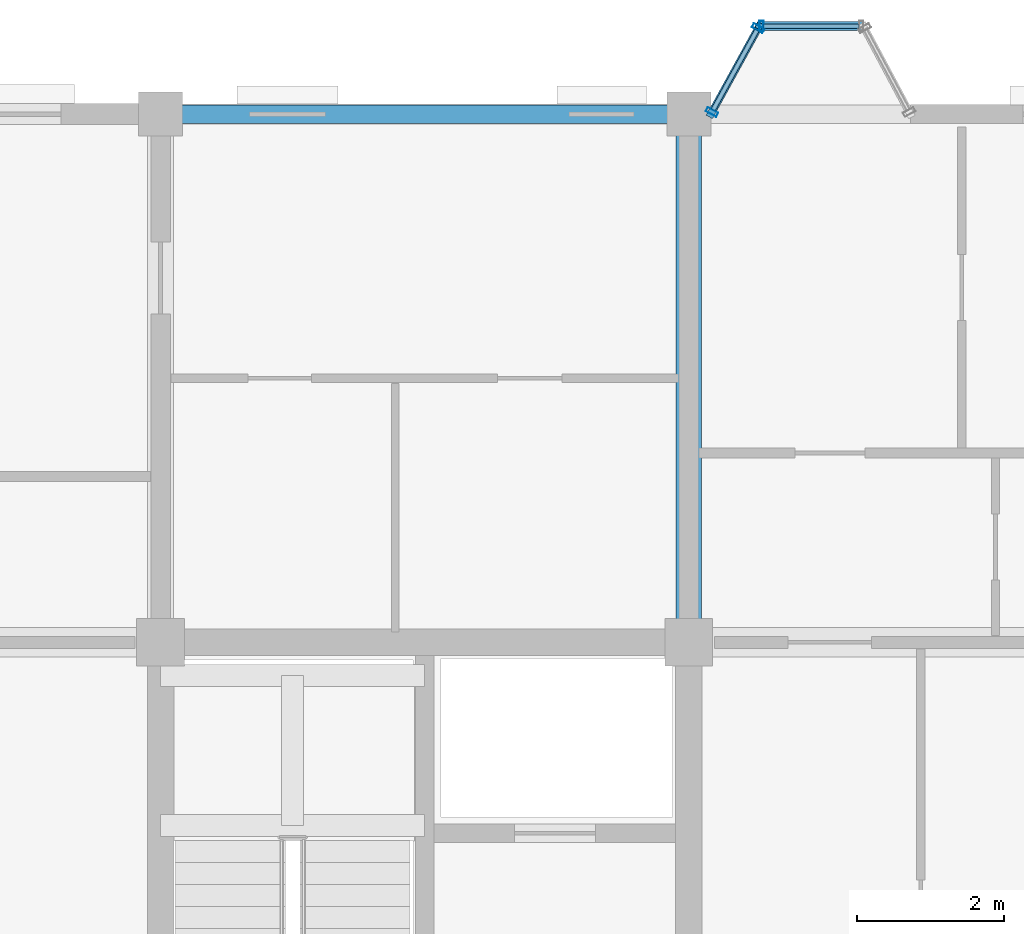
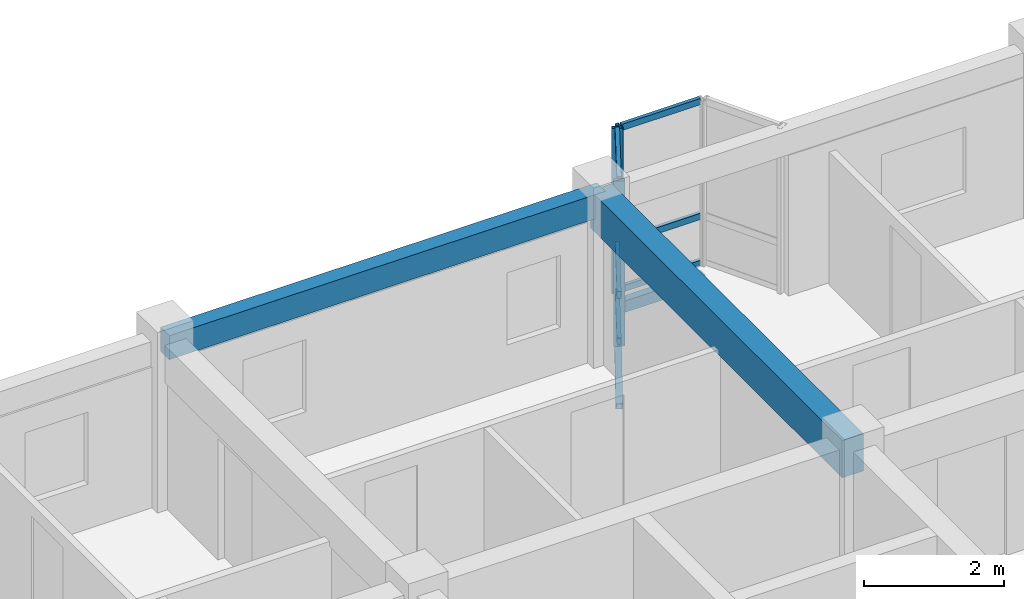
# One storey, part 68 of 124: 11 members, 2 beams, 2 elements without a shape of their own.
"""IFC4 building model written with IfcOpenShell, lengths in metres."""

from ifc_helpers import new_model, si_unit, direction, frame, origin, origin_2d, place, context, subcontext, project, spatial, rectangle, hollow_rectangle, extrude, material, layer, layer_set, material_profile, profile_set, type_object, element, aggregate, save


model = new_model("IFC4")

# Units and contexts
model_context = context("Model", 3, precision=1e-05, world=origin(), true_north=direction((0.0, 1.0)))
body_context = subcontext(model_context, "Body", "Model", "MODEL_VIEW")
ifc_project = project(units=[si_unit("LENGTHUNIT", "METRE"), si_unit("AREAUNIT", "SQUARE_METRE"), si_unit("VOLUMEUNIT", "CUBIC_METRE"), si_unit("PLANEANGLEUNIT", "RADIAN"), si_unit("MASSUNIT", "GRAM", prefix="KILO"), si_unit("THERMODYNAMICTEMPERATUREUNIT", "KELVIN"), si_unit("POWERUNIT", "WATT")], contexts=[model_context])

# Site, building, storey
site_placement = place(None, origin())
site = spatial("IfcSite", under=ifc_project, at=site_placement, CompositionType="ELEMENT")
building_placement = place(site_placement, origin())
building = spatial("IfcBuilding", under=site, at=building_placement, Name="Tavuni Mirador Residences", CompositionType="ELEMENT")
storey_placement = place(building_placement, frame((0.0, 0.0, 7.64990234375)))
storey = spatial("IfcBuildingStorey", under=building, at=storey_placement, Name="L02", CompositionType="ELEMENT", Elevation=7.64990234375)

# Beams
ifc_material_1 = material(Name="Precast concrete C40/50", Category="concrete")
ifc_material_profile_1 = material_profile(ifc_material_1, rectangle(XDim=0.35009765625, YDim=0.64990234375, at=origin_2d()), Name="PC 350x650", Category="concrete")
ifc_profile_set_1 = profile_set([ifc_material_profile_1], Name="Precast concrete C40/50")
beam_type_1 = type_object("IfcBeamType", Name="BT-B650", PredefinedType="BEAM", material=ifc_profile_set_1)
beam_1_placement = place(storey_placement, frame((32.39990234375, 165.60009765625, 2.56005859375), z_axis=(0.0, 1.0, 0.0), x_axis=(-1.0, 0.0, 0.0)))
element("IfcBeam", 1, at=beam_1_placement, inside=storey, type_object=beam_type_1, Name="BMY-BLK-C-L02-03-03", PredefinedType="BEAM", context=body_context, shape_type="SweptSolid", body=[
    extrude(rectangle(XDim=0.35009765625, YDim=0.64990234375, at=origin_2d()), origin(), (0.0, 0.0, 1.0), 7.199951171875),
])
ifc_material_profile_2 = material_profile(ifc_material_1, rectangle(XDim=0.25, YDim=0.419921875, at=origin_2d()), Name="PC 250x420", Category="concrete")
ifc_profile_set_2 = profile_set([ifc_material_profile_2], Name="Precast concrete C40/50")
beam_type_2 = type_object("IfcBeamType", Name="BT-SP420", PredefinedType="SPANDREL", material=ifc_profile_set_2)
beam_2_placement = place(storey_placement, frame((25.199951171875, 172.800048828125, 2.675048828125), z_axis=(1.0, 0.0, 0.0), x_axis=(0.0, 1.0, 0.0)))
element("IfcBeam", 2, at=beam_2_placement, inside=storey, type_object=beam_type_2, Name="BMX-BLK-C-L02-02-04", PredefinedType="SPANDREL", context=body_context, shape_type="SweptSolid", body=[
    extrude(rectangle(XDim=0.25, YDim=0.419921875, at=origin_2d()), origin(), (0.0, 0.0, 1.0), 7.199951171875),
])

# Curtain wall, member
ifc_material_2 = material(Name="Anodised aluminium", Category="aluminium")
ifc_layer_1 = layer(ifc_material_2, 0.175048828125, Name="Anodised aluminium", Category="aluminium")
ifc_layer_set_1 = layer_set([ifc_layer_1], Name="Anodised aluminium")
curtain_wall_type_1 = type_object("IfcCurtainWallType", Name="CWT-MIR-C", PredefinedType="NOTDEFINED", material=ifc_layer_set_1)
curtain_wall_1_placement = place(storey_placement, origin())
curtain_wall_1 = element("IfcCurtainWall", 3, at=curtain_wall_1_placement, inside=storey, type_object=curtain_wall_type_1, Name="CW-MIR-C-N2-L02-MF", PredefinedType="NOTDEFINED")
ifc_material_profile_3 = material_profile(ifc_material_2, hollow_rectangle(XDim=0.06005859375, YDim=0.139892578125, WallThickness=0.00390625, at=origin_2d()), Name="ALU 60x140x4.0", Category="aluminium")
ifc_profile_set_3 = profile_set([ifc_material_profile_3], Name="Anodised aluminium")
member_type_1 = type_object("IfcMemberType", Name="CWM-140", PredefinedType="MULLION", material=ifc_profile_set_3)
member_1_placement = place(storey_placement, frame((33.389892578125, 174.0, 0.0), z_axis=(0.0, 0.0, 1.0), x_axis=(-1.0, 0.0, 0.0)))
member_1 = element("IfcMember", 4, at=member_1_placement, type_object=member_type_1, Name="CW-03 mullion 2", PredefinedType="MULLION", context=body_context, shape_type="SweptSolid", body=[
    extrude(hollow_rectangle(XDim=0.06005859375, YDim=0.139892578125, WallThickness=0.00390625, at=origin_2d()), origin(), (0.0, 0.0, 1.0), 2.885009765625),
])

# Curtain wall, members
ifc_layer_2 = layer(ifc_material_2, 0.159912109375, Name="Anodised aluminium", Category="aluminium")
ifc_layer_set_2 = layer_set([ifc_layer_2], Name="Anodised aluminium")
curtain_wall_type_2 = type_object("IfcCurtainWallType", Name="CWT-MIR-D", PredefinedType="NOTDEFINED", material=ifc_layer_set_2)
curtain_wall_2_placement = place(storey_placement, origin())
curtain_wall_2 = element("IfcCurtainWall", 5, at=curtain_wall_2_placement, inside=storey, type_object=curtain_wall_type_2, Name="CW-MIR-C-N2-L02-M2", PredefinedType="NOTDEFINED")
ifc_material_profile_4 = material_profile(ifc_material_2, hollow_rectangle(XDim=0.06494140625, YDim=0.1650390625, WallThickness=0.00439453125, at=origin_2d()), Name="ALU 65x165x4.5", Category="aluminium")
ifc_profile_set_4 = profile_set([ifc_material_profile_4], Name="Anodised aluminium")
member_type_2 = type_object("IfcMemberType", Name="CWM-165", PredefinedType="MULLION", material=ifc_profile_set_4)
member_2_placement = place(storey_placement, frame((33.34423828125, 173.971435546875, 0.0), z_axis=(0.0, 0.0, 1.0), x_axis=(-0.481918749773, -0.876215908676, 0.0)))
member_2 = element("IfcMember", 6, at=member_2_placement, type_object=member_type_2, Name="CW-04 mullion 1", PredefinedType="MULLION", context=body_context, shape_type="SweptSolid", body=[
    extrude(hollow_rectangle(XDim=0.06494140625, YDim=0.1650390625, WallThickness=0.00439453125, at=origin_2d()), origin(), (0.0, 0.0, 1.0), 2.885009765625),
])
member_3_placement = place(storey_placement, frame((32.715576171875, 172.828369140625, 0.0), z_axis=(0.0, 0.0, 1.0), x_axis=(-0.481918749773, -0.876215908676, 0.0)))
member_3 = element("IfcMember", 7, at=member_3_placement, type_object=member_type_2, Name="CW-04 mullion 2", PredefinedType="MULLION", context=body_context, shape_type="SweptSolid", body=[
    extrude(hollow_rectangle(XDim=0.06494140625, YDim=0.1650390625, WallThickness=0.00439453125, at=origin_2d()), origin(), (0.0, 0.0, 1.0), 2.885009765625),
])

# Member
ifc_material_profile_5 = material_profile(ifc_material_2, hollow_rectangle(XDim=0.06005859375, YDim=0.110107421875, WallThickness=0.00390625, at=origin_2d()), Name="ALU 60x110x4.0", Category="aluminium")
ifc_profile_set_5 = profile_set([ifc_material_profile_5], Name="Anodised aluminium")
member_type_3 = type_object("IfcMemberType", Name="CWT-110", PredefinedType="USERDEFINED", material=ifc_profile_set_5)
member_4_placement = place(storey_placement, frame((34.719970703125, 174.0, 0.030029296875), z_axis=(-1.0, 0.0, 0.0), x_axis=(0.0, -1.0, 0.0)))
member_4 = element("IfcMember", 8, at=member_4_placement, type_object=member_type_3, Name="CW-03 transom 1.1", ObjectType="TRANSOM", PredefinedType="USERDEFINED", context=body_context, shape_type="SweptSolid", body=[
    extrude(hollow_rectangle(XDim=0.06005859375, YDim=0.110107421875, WallThickness=0.00390625, at=origin_2d()), origin(), (0.0, 0.0, 1.0), 1.300048828125),
])

member_5_placement = place(storey_placement, frame((34.719970703125, 174.0, 0.85009765625), z_axis=(-1.0, 0.0, 0.0), x_axis=(0.0, -1.0, 0.0)))
member_5 = element("IfcMember", 9, at=member_5_placement, type_object=member_type_3, Name="CW-03 transom 1.2", ObjectType="TRANSOM", PredefinedType="USERDEFINED", context=body_context, shape_type="SweptSolid", body=[
    extrude(hollow_rectangle(XDim=0.06005859375, YDim=0.110107421875, WallThickness=0.00390625, at=origin_2d()), origin(), (0.0, 0.0, 1.0), 1.300048828125),
])

member_6_placement = place(storey_placement, frame((34.719970703125, 174.0, 2.85498046875), z_axis=(-1.0, 0.0, 0.0), x_axis=(0.0, -1.0, 0.0)))
member_6 = element("IfcMember", 10, at=member_6_placement, type_object=member_type_3, Name="CW-03 transom 1.3", ObjectType="TRANSOM", PredefinedType="USERDEFINED", context=body_context, shape_type="SweptSolid", body=[
    extrude(hollow_rectangle(XDim=0.06005859375, YDim=0.110107421875, WallThickness=0.00390625, at=origin_2d()), origin(), (0.0, 0.0, 1.0), 1.300048828125),
])

aggregate(curtain_wall_1, [member_1, member_4, member_5, member_6])

ifc_material_profile_6 = material_profile(ifc_material_2, hollow_rectangle(XDim=0.06494140625, YDim=0.125, WallThickness=0.00439453125, at=origin_2d()), Name="ALU 65x125x4.5", Category="aluminium")
ifc_profile_set_6 = profile_set([ifc_material_profile_6], Name="Anodised aluminium")
member_type_4 = type_object("IfcMemberType", Name="CWT-125", PredefinedType="USERDEFINED", material=ifc_profile_set_6)
member_7_placement = place(storey_placement, frame((33.32861328125, 173.943115234375, 0.03271484375), z_axis=(-0.481775083991, -0.876294909517, 0.0), x_axis=(0.876294909517, -0.481775083991, 0.0)))
member_7 = element("IfcMember", 11, at=member_7_placement, type_object=member_type_4, Name="CW-04 transom 1.1", ObjectType="TRANSOM", PredefinedType="USERDEFINED", context=body_context, shape_type="SweptSolid", body=[
    extrude(hollow_rectangle(XDim=0.06494140625, YDim=0.125, WallThickness=0.00439453125, at=origin_2d()), origin(), (0.0, 0.0, 1.0), 1.239501953125),
])

member_8_placement = place(storey_placement, frame((33.32861328125, 173.943115234375, 0.85009765625), z_axis=(-0.481775083991, -0.876294909517, 0.0), x_axis=(0.876294909517, -0.481775083991, 0.0)))
member_8 = element("IfcMember", 12, at=member_8_placement, type_object=member_type_4, Name="CW-04 transom 1.2", ObjectType="TRANSOM", PredefinedType="USERDEFINED", context=body_context, shape_type="SweptSolid", body=[
    extrude(hollow_rectangle(XDim=0.06494140625, YDim=0.125, WallThickness=0.00439453125, at=origin_2d()), origin(), (0.0, 0.0, 1.0), 1.239501953125),
])

member_9_placement = place(storey_placement, frame((33.32861328125, 173.943115234375, 2.8525390625), z_axis=(-0.481775083991, -0.876294909517, 0.0), x_axis=(0.876294909517, -0.481775083991, 0.0)))
member_9 = element("IfcMember", 13, at=member_9_placement, type_object=member_type_4, Name="CW-04 transom 1.3", ObjectType="TRANSOM", PredefinedType="USERDEFINED", context=body_context, shape_type="SweptSolid", body=[
    extrude(hollow_rectangle(XDim=0.06494140625, YDim=0.125, WallThickness=0.00439453125, at=origin_2d()), origin(), (0.0, 0.0, 1.0), 1.239501953125),
])

aggregate(curtain_wall_2, [member_2, member_3, member_7, member_8, member_9])

# Members
ifc_material_3 = material(Name="Structural steel S355", Category="steel")
ifc_material_profile_7 = material_profile(ifc_material_3, hollow_rectangle(XDim=0.10009765625, YDim=0.179931640625, WallThickness=0.008056640625, at=origin_2d()), Name="RHS 180x100x8.0", Category="steel")
ifc_profile_set_7 = profile_set([ifc_material_profile_7], Name="Structural steel S355")
member_type_5 = type_object("IfcMemberType", Name="MT-BR-RHS180", PredefinedType="BRACE", material=ifc_profile_set_7)
member_10_placement = place(storey_placement, frame((32.699951171875, 172.800048828125, -1.0498046875), z_axis=(0.418207898195, 0.760167093058, 0.497240529844), x_axis=(-0.876159447218, 0.482021392732, 0.0)))
element("IfcMember", 14, at=member_10_placement, inside=storey, type_object=member_type_5, Name="MBRK-MIR-C-N2-L02-1", PredefinedType="BRACE", context=body_context, shape_type="SweptSolid", body=[
    extrude(hollow_rectangle(XDim=0.10009765625, YDim=0.179931640625, WallThickness=0.008056640625, at=origin_2d()), origin(), (0.0, 0.0, 1.0), 1.57861328125),
])
ifc_material_profile_8 = material_profile(ifc_material_3, hollow_rectangle(XDim=0.1201171875, YDim=0.199951171875, WallThickness=0.010009765625, at=origin_2d()), Name="RHS 200x120x10.0", Category="steel")
ifc_profile_set_8 = profile_set([ifc_material_profile_8], Name="Structural steel S355")
member_type_6 = type_object("IfcMemberType", Name="MT-ST-RHS200", PredefinedType="STRUT", material=ifc_profile_set_8)
member_11_placement = place(storey_placement, frame((33.360107421875, 174.0, -0.264892578125), z_axis=(1.0, 0.0, 0.0), x_axis=(0.0, 1.0, 0.0)))
element("IfcMember", 15, at=member_11_placement, inside=storey, type_object=member_type_6, Name="MRIM-MIR-C-N2-L02", PredefinedType="STRUT", context=body_context, shape_type="SweptSolid", body=[
    extrude(hollow_rectangle(XDim=0.1201171875, YDim=0.199951171875, WallThickness=0.010009765625, at=origin_2d()), origin(), (0.0, 0.0, 1.0), 1.419921875),
])

save(model, "model.ifc")
